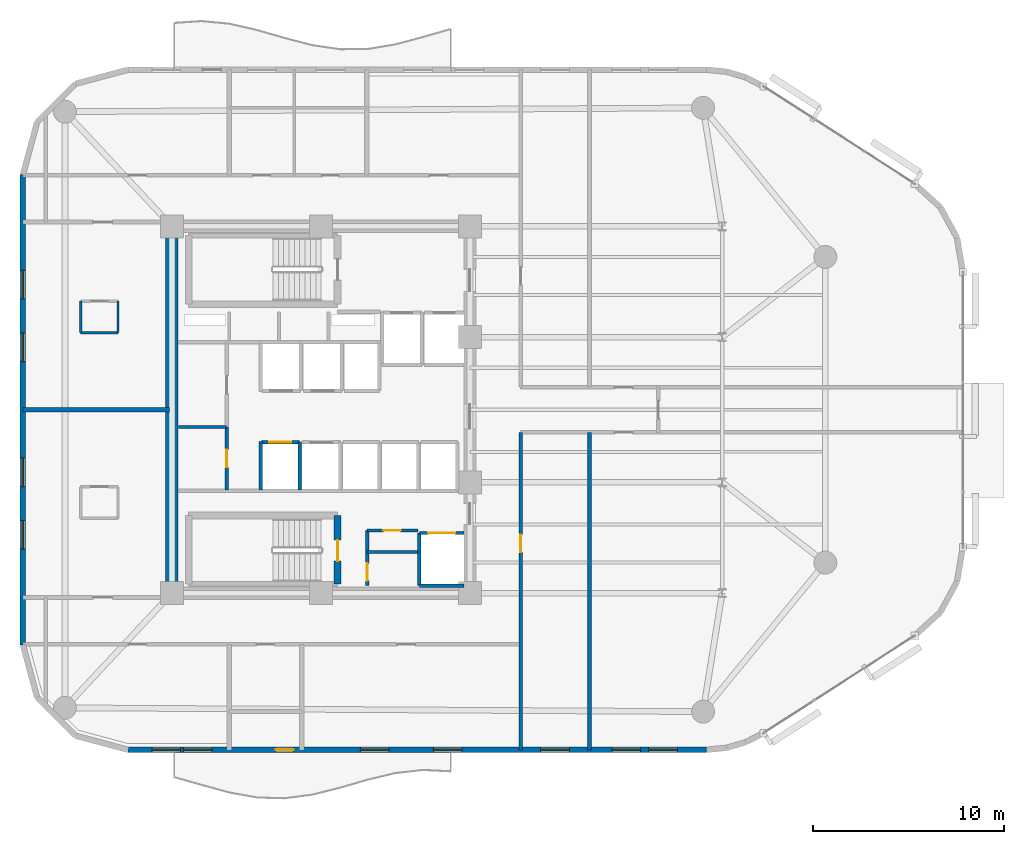
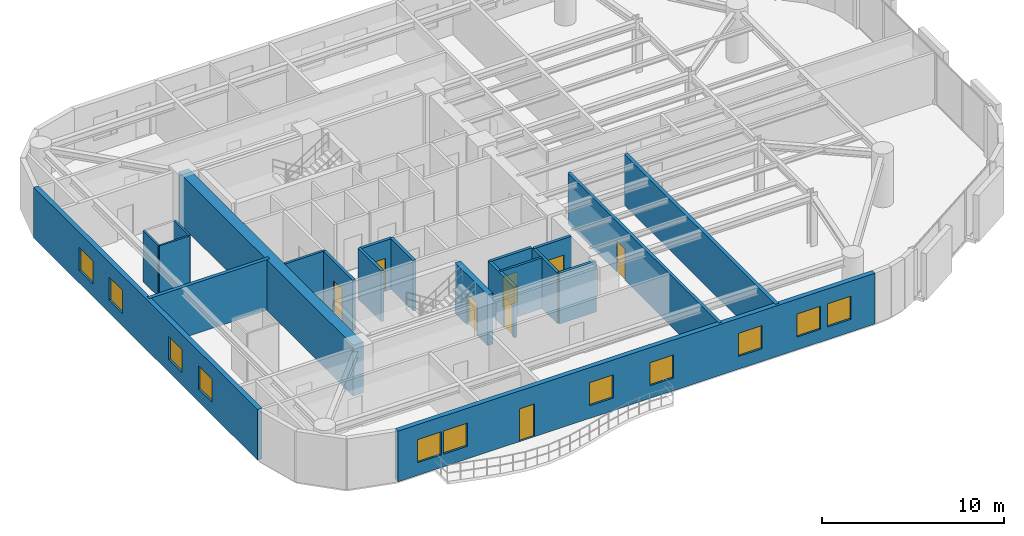
# One storey, part 10 of 15: 21 walls, 11 windows, 8 doors, 19 openings.
"""IFC4 building model written with IfcOpenShell, lengths in metres."""

from ifc_helpers import new_model, si_unit, direction, frame, frame_2d, origin, place, context, subcontext, project, spatial, rectangle, extrude, material, layer, layer_set, type_object, element, fill, save


model = new_model("IFC4")

# Units and contexts
model_context = context("Model", 3, precision=1e-05, world=origin(), true_north=direction((0.0, 1.0)))
body_context = subcontext(model_context, "Body", "Model", "MODEL_VIEW")
ifc_project = project(units=[si_unit("LENGTHUNIT", "METRE"), si_unit("AREAUNIT", "SQUARE_METRE"), si_unit("VOLUMEUNIT", "CUBIC_METRE"), si_unit("PLANEANGLEUNIT", "RADIAN"), si_unit("MASSUNIT", "GRAM", prefix="KILO")], contexts=[model_context])

# Site, building, storey
site_placement = place(None, origin())
site = spatial("IfcSite", under=ifc_project, at=site_placement, CompositionType="ELEMENT")
building_placement = place(site_placement, origin())
building = spatial("IfcBuilding", under=site, at=building_placement, Name="An Khanh Terracotta Commons", CompositionType="ELEMENT")
storey_placement = place(building_placement, frame((0.0, 0.0, 176.199951171875)))
storey = spatial("IfcBuildingStorey", under=building, at=storey_placement, Name="L46", CompositionType="ELEMENT", Elevation=176.199951171875)

# Wall
ifc_material_1 = material(Name="Concrete C60/75", Category="concrete")
ifc_layer_1 = layer(ifc_material_1, 0.64990234375, Name="Concrete C60/75")
ifc_layer_set_1 = layer_set([ifc_layer_1], Name="Concrete C60/75")
wall_type_1 = type_object("IfcWallType", Name="WALL-CORE-650", PredefinedType="SHEAR", material=ifc_layer_set_1)
wall_1_placement = place(storey_placement, frame((21.60009765625, 14.39990234375, 0.0), z_axis=(0.0, 0.0, 1.0), x_axis=(0.0, 1.0, 0.0)))
element("IfcWall", 1, at=wall_1_placement, inside=storey, type_object=wall_type_1, Name="L46 Core Wall CWALL-L46-W", PredefinedType="SHEAR", context=body_context, shape_type="SweptSolid", body=[
    extrude(rectangle(XDim=19.2001953125, YDim=0.64990234375, at=frame_2d((9.60009765625, 0.0))), origin(), (0.0, 0.0, 1.0), 3.400146484375),
])

# Wall, opening, door
ifc_material_2 = material(Name="Fire-Rated Gypsum Board on Steel Stud", Category="steel")
ifc_layer_2 = layer(ifc_material_2, 0.179931640625, Name="Fire-Rated Gypsum Board on Steel Stud")
ifc_layer_set_2 = layer_set([ifc_layer_2], Name="Fire-Rated Gypsum Board on Steel Stud")
wall_type_2 = type_object("IfcWallType", Name="WALL-CORR-180", PredefinedType="PARTITIONING", material=ifc_layer_set_2)
wall_2_placement = place(storey_placement, frame((31.820068359375, 17.679931640625, 0.0), z_axis=(0.0, 0.0, 1.0), x_axis=(1.0, 0.0, 0.0)))
wall_2 = element("IfcWall", 2, at=wall_2_placement, inside=storey, type_object=wall_type_2, Name="L46 Core Wall SSVCW-L46-N", PredefinedType="PARTITIONING", context=body_context, shape_type="SweptSolid", body=[
    extrude(rectangle(XDim=2.659912109375, YDim=0.179931640625, at=frame_2d((1.330078125, 0.0))), origin(), (0.0, 0.0, 1.0), 3.400146484375),
])
opening_1_placement = place(wall_2_placement, frame((0.85009765625, 0.0, 0.0)))
opening_1 = element("IfcOpeningElement", 3, at=opening_1_placement, cuts=wall_2, Name="Opening D-SV", PredefinedType="OPENING", context=body_context, shape_type="SweptSolid", body=[
    extrude(rectangle(XDim=0.89990234375, YDim=2.050048828125, at=frame_2d((0.449951171875, 1.02490234375))), frame((0.0, 0.099853515625, 0.0), z_axis=(0.0, -1.0, 0.0), x_axis=(1.0, 0.0, 0.0)), (0.0, 0.0, 1.0), 0.199951171875),
])
ifc_material_3 = material(Name="Fire-Rated Powder-Coated Steel Door", Category="steel")
door_type_1 = type_object("IfcDoorType", Name="DOOR-SERV-900", OperationType="NOTDEFINED", PredefinedType="DOOR", material=ifc_material_3)
door_1_placement = place(opening_1_placement, origin())
door_1 = element("IfcDoor", 4, at=door_1_placement, inside=storey, type_object=door_type_1, Name="L46 Core Cleaner Store Door", OperationType="SINGLE_SWING_RIGHT", OverallHeight=2.050048828125, OverallWidth=0.89990234375, PredefinedType="DOOR", context=body_context, shape_type="SweptSolid", body=[
    extrude(rectangle(XDim=0.89990234375, YDim=2.050048828125, at=frame_2d((0.449951171875, 1.02490234375))), frame((0.0, 0.02490234375, 0.0), z_axis=(0.0, -1.0, 0.0), x_axis=(1.0, 0.0, 0.0)), (0.0, 0.0, 1.0), 0.050048828125),
])
fill(opening_1, door_1)

wall_3_placement = place(storey_placement, frame((31.820068359375, 14.800048828125, 0.0), z_axis=(0.0, 0.0, 1.0), x_axis=(0.0, 1.0, 0.0)))
wall_3 = element("IfcWall", 5, at=wall_3_placement, inside=storey, type_object=wall_type_2, Name="L46 Core Wall SSVCW-L46-W", PredefinedType="PARTITIONING", context=body_context, shape_type="SweptSolid", body=[
    extrude(rectangle(XDim=2.8798828125, YDim=0.179931640625, at=frame_2d((1.43994140625, 0.0))), origin(), (0.0, 0.0, 1.0), 3.400146484375),
])
opening_2_placement = place(wall_3_placement, frame((0.260009765625, 0.0, 0.0)))
opening_2 = element("IfcOpeningElement", 6, at=opening_2_placement, cuts=wall_3, Name="Opening D-SV", PredefinedType="OPENING", context=body_context, shape_type="SweptSolid", body=[
    extrude(rectangle(XDim=0.89990234375, YDim=2.050048828125, at=frame_2d((0.449951171875, 1.02490234375))), frame((0.0, 0.099853515625, 0.0), z_axis=(0.0, -1.0, 0.0), x_axis=(1.0, 0.0, 0.0)), (0.0, 0.0, 1.0), 0.199951171875),
])
door_2_placement = place(opening_2_placement, origin())
door_2 = element("IfcDoor", 7, at=door_2_placement, inside=storey, type_object=door_type_1, Name="L46 Telecoms BMS Cupboard Door", OperationType="SINGLE_SWING_LEFT", OverallHeight=2.050048828125, OverallWidth=0.89990234375, PredefinedType="DOOR", context=body_context, shape_type="SweptSolid", body=[
    extrude(rectangle(XDim=0.89990234375, YDim=2.050048828125, at=frame_2d((0.449951171875, 1.02490234375))), frame((0.0, 0.02490234375, 0.0), z_axis=(0.0, -1.0, 0.0), x_axis=(1.0, 0.0, 0.0)), (0.0, 0.0, 1.0), 0.050048828125),
])
fill(opening_2, door_2)

wall_4_placement = place(storey_placement, frame((34.550048828125, 17.550048828125, 0.0), z_axis=(0.0, 0.0, 1.0), x_axis=(1.0, 0.0, 0.0)))
wall_4 = element("IfcWall", 8, at=wall_4_placement, inside=storey, type_object=wall_type_2, Name="L46 Core Wall LSH-L46-SVL-01-N", PredefinedType="PARTITIONING", context=body_context, shape_type="SweptSolid", body=[
    extrude(rectangle(XDim=2.349853515625, YDim=0.179931640625, at=frame_2d((1.1748046875, 0.0))), origin(), (0.0, 0.0, 1.0), 3.400146484375),
])
opening_3_placement = place(wall_4_placement, frame((0.47509765625, 0.0, 0.0)))
opening_3 = element("IfcOpeningElement", 9, at=opening_3_placement, cuts=wall_4, Name="Opening LD-SVL-01-L46", PredefinedType="OPENING", context=body_context, shape_type="SweptSolid", body=[
    extrude(rectangle(XDim=1.39990234375, YDim=2.300048828125, at=frame_2d((0.699951171875, 1.14990234375))), frame((0.0, 0.099853515625, 0.0), z_axis=(0.0, -1.0, 0.0), x_axis=(1.0, 0.0, 0.0)), (0.0, 0.0, 1.0), 0.199951171875),
])
ifc_material_4 = material(Name="Heavy-Duty Stainless Steel Goods Landing Door", Category="steel")
door_type_2 = type_object("IfcDoorType", Name="DOOR-LD-SVL-1400", OperationType="NOTDEFINED", PredefinedType="DOOR", material=ifc_material_4)
door_3_placement = place(opening_3_placement, origin())
door_3 = element("IfcDoor", 10, at=door_3_placement, inside=storey, type_object=door_type_2, Name="L46 Lift SVL-01 Sliding Landing Door", OperationType="DOUBLE_DOOR_SLIDING", OverallHeight=2.300048828125, OverallWidth=1.39990234375, PredefinedType="DOOR", context=body_context, shape_type="SweptSolid", body=[
    extrude(rectangle(XDim=1.39990234375, YDim=2.300048828125, at=frame_2d((0.699951171875, 1.14990234375))), frame((0.0, 0.02490234375, 0.0), z_axis=(0.0, -1.0, 0.0), x_axis=(1.0, 0.0, 0.0)), (0.0, 0.0, 1.0), 0.050048828125),
])
fill(opening_3, door_3)

# Walls
wall_5_placement = place(storey_placement, frame((36.89990234375, 14.800048828125, 0.0), z_axis=(0.0, 0.0, 1.0), x_axis=(-1.0, 0.0, 0.0)))
element("IfcWall", 11, at=wall_5_placement, inside=storey, type_object=wall_type_2, Name="L46 Core Wall LSH-L46-SVL-01-S", PredefinedType="PARTITIONING", context=body_context, shape_type="SweptSolid", body=[
    extrude(rectangle(XDim=2.349853515625, YDim=0.179931640625, at=frame_2d((1.1748046875, 0.0))), origin(), (0.0, 0.0, 1.0), 3.400146484375),
])
wall_6_placement = place(storey_placement, frame((34.550048828125, 17.550048828125, 0.0), z_axis=(0.0, 0.0, 1.0), x_axis=(0.0, -1.0, 0.0)))
element("IfcWall", 12, at=wall_6_placement, inside=storey, type_object=wall_type_2, Name="L46 Core Wall LSH-L46-SVL-01-W", PredefinedType="PARTITIONING", context=body_context, shape_type="SweptSolid", body=[
    extrude(rectangle(XDim=2.75, YDim=0.179931640625, at=frame_2d((1.375, 0.0))), origin(), (0.0, 0.0, 1.0), 3.400146484375),
])

# Wall, opening, door
wall_7_placement = place(storey_placement, frame((26.280029296875, 22.300048828125, 0.0), z_axis=(0.0, 0.0, 1.0), x_axis=(1.0, 0.0, 0.0)))
wall_7 = element("IfcWall", 13, at=wall_7_placement, inside=storey, type_object=wall_type_2, Name="L46 Core Wall LSH-L46-PL-M3-N", PredefinedType="PARTITIONING", context=body_context, shape_type="SweptSolid", body=[
    extrude(rectangle(XDim=2.0, YDim=0.179931640625, at=frame_2d((1.0, 0.0))), origin(), (0.0, 0.0, 1.0), 3.400146484375),
])
opening_4_placement = place(wall_7_placement, frame((0.425048828125, 0.0, 0.0)))
opening_4 = element("IfcOpeningElement", 14, at=opening_4_placement, cuts=wall_7, Name="Opening LD-PL-M3-L46", PredefinedType="OPENING", context=body_context, shape_type="SweptSolid", body=[
    extrude(rectangle(XDim=1.14990234375, YDim=2.199951171875, at=frame_2d((0.574951171875, 1.10009765625))), frame((0.0, 0.099853515625, 0.0), z_axis=(0.0, -1.0, 0.0), x_axis=(1.0, 0.0, 0.0)), (0.0, 0.0, 1.0), 0.199951171875),
])
ifc_material_5 = material(Name="Brushed Stainless Steel Passenger Landing Door", Category="steel")
door_type_3 = type_object("IfcDoorType", Name="DOOR-LD-PAX-1150", OperationType="NOTDEFINED", PredefinedType="DOOR", material=ifc_material_5)
door_4_placement = place(opening_4_placement, origin())
door_4 = element("IfcDoor", 15, at=door_4_placement, inside=storey, type_object=door_type_3, Name="L46 Lift PL-M3 Sliding Landing Door", OperationType="DOUBLE_DOOR_SLIDING", OverallHeight=2.199951171875, OverallWidth=1.14990234375, PredefinedType="DOOR", context=body_context, shape_type="SweptSolid", body=[
    extrude(rectangle(XDim=1.14990234375, YDim=2.199951171875, at=frame_2d((0.574951171875, 1.10009765625))), frame((0.0, 0.02490234375, 0.0), z_axis=(0.0, -1.0, 0.0), x_axis=(1.0, 0.0, 0.0)), (0.0, 0.0, 1.0), 0.050048828125),
])
fill(opening_4, door_4)

# Wall
wall_8_placement = place(storey_placement, frame((28.280029296875, 19.800048828125, 0.0), z_axis=(0.0, 0.0, 1.0), x_axis=(0.0, 1.0, 0.0)))
element("IfcWall", 16, at=wall_8_placement, inside=storey, type_object=wall_type_2, Name="L46 Core Wall LSH-L46-PL-M3-E", PredefinedType="PARTITIONING", context=body_context, shape_type="SweptSolid", body=[
    extrude(rectangle(XDim=2.5, YDim=0.179931640625, at=frame_2d((1.25, 0.0))), origin(), (0.0, 0.0, 1.0), 3.400146484375),
])

# Wall, opening, door
wall_9_placement = place(storey_placement, frame((24.4599609375, 19.800048828125, 0.0), z_axis=(0.0, 0.0, 1.0), x_axis=(0.0, 1.0, 0.0)))
wall_9 = element("IfcWall", 17, at=wall_9_placement, inside=storey, type_object=wall_type_2, Name="L46 Core Wall RECW-L46-E2", PredefinedType="PARTITIONING", context=body_context, shape_type="SweptSolid", body=[
    extrude(rectangle(XDim=3.300048828125, YDim=0.179931640625, at=frame_2d((1.64990234375, 0.0))), origin(), (0.0, 0.0, 1.0), 3.400146484375),
])
opening_5_placement = place(wall_9_placement, frame((1.18994140625, 0.0, 0.0)))
opening_5 = element("IfcOpeningElement", 18, at=opening_5_placement, cuts=wall_9, Name="Opening D-RM", PredefinedType="OPENING", context=body_context, shape_type="SweptSolid", body=[
    extrude(rectangle(XDim=0.919921875, YDim=2.10009765625, at=frame_2d((0.4599609375, 1.050048828125))), frame((0.0, 0.099853515625, 0.0), z_axis=(0.0, -1.0, 0.0), x_axis=(1.0, 0.0, 0.0)), (0.0, 0.0, 1.0), 0.199951171875),
])
ifc_material_6 = material(Name="Engineered Hardwood Timber Leaf", Category="wood")
door_type_4 = type_object("IfcDoorType", Name="DOOR-INT-920", OperationType="NOTDEFINED", PredefinedType="DOOR", material=ifc_material_6)
door_5_placement = place(opening_5_placement, origin())
door_5 = element("IfcDoor", 19, at=door_5_placement, inside=storey, type_object=door_type_4, Name="L46 Quiet Focus Booth Door", OperationType="SINGLE_SWING_LEFT", OverallHeight=2.10009765625, OverallWidth=0.919921875, PredefinedType="DOOR", context=body_context, shape_type="SweptSolid", body=[
    extrude(rectangle(XDim=0.919921875, YDim=2.10009765625, at=frame_2d((0.4599609375, 1.050048828125))), frame((0.0, 0.02490234375, 0.0), z_axis=(0.0, -1.0, 0.0), x_axis=(1.0, 0.0, 0.0)), (0.0, 0.0, 1.0), 0.050048828125),
])
fill(opening_5, door_5)

# Wall
wall_10_placement = place(storey_placement, frame((26.25, 19.800048828125, 0.0), z_axis=(0.0, 0.0, 1.0), x_axis=(0.0, 1.0, 0.0)))
element("IfcWall", 20, at=wall_10_placement, inside=storey, type_object=wall_type_2, Name="L46 Core Wall RECW-L46-BE2", PredefinedType="PARTITIONING", context=body_context, shape_type="SweptSolid", body=[
    extrude(rectangle(XDim=2.550048828125, YDim=0.179931640625, at=frame_2d((1.27490234375, 0.0))), origin(), (0.0, 0.0, 1.0), 3.400146484375),
])

# Wall, opening, door
wall_11_placement = place(storey_placement, frame((39.85009765625, 6.199951171875, 0.0), z_axis=(0.0, 0.0, 1.0), x_axis=(0.0, 1.0, 0.0)))
wall_11 = element("IfcWall", 21, at=wall_11_placement, inside=storey, type_object=wall_type_2, Name="L46 Interior Partition IW-L46-E017", PredefinedType="PARTITIONING", context=body_context, shape_type="SweptSolid", body=[
    extrude(rectangle(XDim=16.6201171875, YDim=0.179931640625, at=frame_2d((8.31005859375, 0.0))), origin(), (0.0, 0.0, 1.0), 3.400146484375),
])
opening_6_placement = place(wall_11_placement, frame((10.35009765625, 0.0, 0.0)))
opening_6 = element("IfcOpeningElement", 22, at=opening_6_placement, cuts=wall_11, Name="Opening D-RM", PredefinedType="OPENING", context=body_context, shape_type="SweptSolid", body=[
    extrude(rectangle(XDim=0.919921875, YDim=2.10009765625, at=frame_2d((0.4599609375, 1.050048828125))), frame((0.0, 0.099853515625, 0.0), z_axis=(0.0, -1.0, 0.0), x_axis=(1.0, 0.0, 0.0)), (0.0, 0.0, 1.0), 0.199951171875),
])
door_6_placement = place(opening_6_placement, origin())
door_6 = element("IfcDoor", 23, at=door_6_placement, inside=storey, type_object=door_type_4, Name="L46 T5SW Group Tutorial Meeting Room Door", OperationType="SINGLE_SWING_RIGHT", OverallHeight=2.10009765625, OverallWidth=0.919921875, PredefinedType="DOOR", context=body_context, shape_type="SweptSolid", body=[
    extrude(rectangle(XDim=0.919921875, YDim=2.10009765625, at=frame_2d((0.4599609375, 1.050048828125))), frame((0.0, 0.02490234375, 0.0), z_axis=(0.0, -1.0, 0.0), x_axis=(1.0, 0.0, 0.0)), (0.0, 0.0, 1.0), 0.050048828125),
])
fill(opening_6, door_6)

# Wall, openings, door, windows
ifc_material_7 = material(Name="Precast concrete C40/50", Category="concrete")
ifc_layer_3 = layer(ifc_material_7, 0.300048828125, Name="Precast concrete C40/50")
ifc_layer_set_3 = layer_set([ifc_layer_3], Name="Precast concrete C40/50")
wall_type_3 = type_object("IfcWallType", Name="WALL-EXT-300", PredefinedType="SOLIDWALL", material=ifc_layer_set_3)
wall_12_placement = place(storey_placement, frame((19.300048828125, 6.199951171875, 0.0), z_axis=(0.0, 0.0, 1.0), x_axis=(1.0, 0.0, 0.0)))
wall_12 = element("IfcWall", 24, at=wall_12_placement, inside=storey, type_object=wall_type_3, Name="L46 Insulated Terracotta Exterior Wall 4", PredefinedType="SOLIDWALL", context=body_context, shape_type="SweptSolid", body=[
    extrude(rectangle(XDim=30.281982421875, YDim=0.300048828125, at=frame_2d((15.14111328125, 0.0))), origin(), (0.0, 0.0, 1.0), 3.400146484375),
])
opening_7_placement = place(wall_12_placement, frame((7.72509765625, 0.0, 0.0)))
opening_7 = element("IfcOpeningElement", 25, at=opening_7_placement, cuts=wall_12, Name="Opening D-BAL", PredefinedType="OPENING", context=body_context, shape_type="SweptSolid", body=[
    extrude(rectangle(XDim=0.949951171875, YDim=2.199951171875, at=frame_2d((0.47509765625, 1.10009765625))), frame((0.0, 0.159912109375, 0.0), z_axis=(0.0, -1.0, 0.0), x_axis=(1.0, 0.0, 0.0)), (0.0, 0.0, 1.0), 0.320068359375),
])
opening_8_placement = place(wall_12_placement, frame((1.25, 0.0, 0.85009765625)))
opening_8 = element("IfcOpeningElement", 26, at=opening_8_placement, cuts=wall_12, Name="Opening W-03", PredefinedType="OPENING", context=body_context, shape_type="SweptSolid", body=[
    extrude(rectangle(XDim=1.5, YDim=1.550048828125, at=frame_2d((0.75, 0.77490234375))), frame((0.0, 0.159912109375, 0.0), z_axis=(0.0, -1.0, 0.0), x_axis=(1.0, 0.0, 0.0)), (0.0, 0.0, 1.0), 0.320068359375),
])
opening_9_placement = place(wall_12_placement, frame((2.89990234375, 0.0, 0.85009765625)))
opening_9 = element("IfcOpeningElement", 27, at=opening_9_placement, cuts=wall_12, Name="Opening W-03", PredefinedType="OPENING", context=body_context, shape_type="SweptSolid", body=[
    extrude(rectangle(XDim=1.5, YDim=1.550048828125, at=frame_2d((0.75, 0.77490234375))), frame((0.0, 0.159912109375, 0.0), z_axis=(0.0, -1.0, 0.0), x_axis=(1.0, 0.0, 0.0)), (0.0, 0.0, 1.0), 0.320068359375),
])
opening_10_placement = place(wall_12_placement, frame((12.1669921875, 0.0, 0.85009765625)))
opening_10 = element("IfcOpeningElement", 28, at=opening_10_placement, cuts=wall_12, Name="Opening W-03", PredefinedType="OPENING", context=body_context, shape_type="SweptSolid", body=[
    extrude(rectangle(XDim=1.5, YDim=1.550048828125, at=frame_2d((0.75, 0.77490234375))), frame((0.0, 0.159912109375, 0.0), z_axis=(0.0, -1.0, 0.0), x_axis=(1.0, 0.0, 0.0)), (0.0, 0.0, 1.0), 0.320068359375),
])
opening_11_placement = place(wall_12_placement, frame((15.98291015625, 0.0, 0.85009765625)))
opening_11 = element("IfcOpeningElement", 29, at=opening_11_placement, cuts=wall_12, Name="Opening W-03", PredefinedType="OPENING", context=body_context, shape_type="SweptSolid", body=[
    extrude(rectangle(XDim=1.5, YDim=1.550048828125, at=frame_2d((0.75, 0.77490234375))), frame((0.0, 0.159912109375, 0.0), z_axis=(0.0, -1.0, 0.0), x_axis=(1.0, 0.0, 0.0)), (0.0, 0.0, 1.0), 0.320068359375),
])
opening_12_placement = place(wall_12_placement, frame((21.60009765625, 0.0, 0.85009765625)))
opening_12 = element("IfcOpeningElement", 30, at=opening_12_placement, cuts=wall_12, Name="Opening W-03", PredefinedType="OPENING", context=body_context, shape_type="SweptSolid", body=[
    extrude(rectangle(XDim=1.5, YDim=1.550048828125, at=frame_2d((0.75, 0.77490234375))), frame((0.0, 0.159912109375, 0.0), z_axis=(0.0, -1.0, 0.0), x_axis=(1.0, 0.0, 0.0)), (0.0, 0.0, 1.0), 0.320068359375),
])
opening_13_placement = place(wall_12_placement, frame((25.326904296875, 0.0, 0.85009765625)))
opening_13 = element("IfcOpeningElement", 31, at=opening_13_placement, cuts=wall_12, Name="Opening W-03", PredefinedType="OPENING", context=body_context, shape_type="SweptSolid", body=[
    extrude(rectangle(XDim=1.5, YDim=1.550048828125, at=frame_2d((0.75, 0.77490234375))), frame((0.0, 0.159912109375, 0.0), z_axis=(0.0, -1.0, 0.0), x_axis=(1.0, 0.0, 0.0)), (0.0, 0.0, 1.0), 0.320068359375),
])
opening_14_placement = place(wall_12_placement, frame((27.2548828125, 0.0, 0.85009765625)))
opening_14 = element("IfcOpeningElement", 32, at=opening_14_placement, cuts=wall_12, Name="Opening W-03", PredefinedType="OPENING", context=body_context, shape_type="SweptSolid", body=[
    extrude(rectangle(XDim=1.5, YDim=1.550048828125, at=frame_2d((0.75, 0.77490234375))), frame((0.0, 0.159912109375, 0.0), z_axis=(0.0, -1.0, 0.0), x_axis=(1.0, 0.0, 0.0)), (0.0, 0.0, 1.0), 0.320068359375),
])
ifc_material_8 = material(Name="Thermally Broken Aluminium and Low-E Glass", Category="aluminium")
door_type_5 = type_object("IfcDoorType", Name="DOOR-BALC-950", OperationType="NOTDEFINED", PredefinedType="DOOR", material=ifc_material_8)
door_7_placement = place(opening_7_placement, origin())
door_7 = element("IfcDoor", 33, at=door_7_placement, inside=storey, type_object=door_type_5, Name="L46 S Wave Balcony Glazed Door", OperationType="SINGLE_SWING_LEFT", OverallHeight=2.199951171875, OverallWidth=0.949951171875, PredefinedType="DOOR", context=body_context, shape_type="SweptSolid", body=[
    extrude(rectangle(XDim=0.949951171875, YDim=2.199951171875, at=frame_2d((0.47509765625, 1.10009765625))), frame((0.0, 0.02490234375, 0.0), z_axis=(0.0, -1.0, 0.0), x_axis=(1.0, 0.0, 0.0)), (0.0, 0.0, 1.0), 0.050048828125),
])
fill(opening_7, door_7)
window_type = type_object("IfcWindowType", Name="WIN-Z3-1500x1550", PartitioningType="DOUBLE_PANEL_VERTICAL", PredefinedType="WINDOW", material=ifc_material_8)
window_1_placement = place(opening_8_placement, origin())
window_1 = element("IfcWindow", 34, at=window_1_placement, inside=storey, type_object=window_type, Name="L46 Operable Casement Window 4.1", OverallHeight=1.550048828125, OverallWidth=1.5, PartitioningType="DOUBLE_PANEL_VERTICAL", PredefinedType="WINDOW", context=body_context, shape_type="SweptSolid", body=[
    extrude(rectangle(XDim=1.5, YDim=1.550048828125, at=frame_2d((0.75, 0.77490234375))), frame((0.0, 0.030029296875, 0.0), z_axis=(0.0, -1.0, 0.0), x_axis=(1.0, 0.0, 0.0)), (0.0, 0.0, 1.0), 0.06005859375),
])
fill(opening_8, window_1)
window_2_placement = place(opening_9_placement, origin())
window_2 = element("IfcWindow", 35, at=window_2_placement, inside=storey, type_object=window_type, Name="L46 Operable Casement Window 4.2", OverallHeight=1.550048828125, OverallWidth=1.5, PartitioningType="DOUBLE_PANEL_VERTICAL", PredefinedType="WINDOW", context=body_context, shape_type="SweptSolid", body=[
    extrude(rectangle(XDim=1.5, YDim=1.550048828125, at=frame_2d((0.75, 0.77490234375))), frame((0.0, 0.030029296875, 0.0), z_axis=(0.0, -1.0, 0.0), x_axis=(1.0, 0.0, 0.0)), (0.0, 0.0, 1.0), 0.06005859375),
])
fill(opening_9, window_2)
window_3_placement = place(opening_10_placement, origin())
window_3 = element("IfcWindow", 36, at=window_3_placement, inside=storey, type_object=window_type, Name="L46 Operable Casement Window 4.3", OverallHeight=1.550048828125, OverallWidth=1.5, PartitioningType="DOUBLE_PANEL_VERTICAL", PredefinedType="WINDOW", context=body_context, shape_type="SweptSolid", body=[
    extrude(rectangle(XDim=1.5, YDim=1.550048828125, at=frame_2d((0.75, 0.77490234375))), frame((0.0, 0.030029296875, 0.0), z_axis=(0.0, -1.0, 0.0), x_axis=(1.0, 0.0, 0.0)), (0.0, 0.0, 1.0), 0.06005859375),
])
fill(opening_10, window_3)
window_4_placement = place(opening_11_placement, origin())
window_4 = element("IfcWindow", 37, at=window_4_placement, inside=storey, type_object=window_type, Name="L46 Operable Casement Window 4.4", OverallHeight=1.550048828125, OverallWidth=1.5, PartitioningType="DOUBLE_PANEL_VERTICAL", PredefinedType="WINDOW", context=body_context, shape_type="SweptSolid", body=[
    extrude(rectangle(XDim=1.5, YDim=1.550048828125, at=frame_2d((0.75, 0.77490234375))), frame((0.0, 0.030029296875, 0.0), z_axis=(0.0, -1.0, 0.0), x_axis=(1.0, 0.0, 0.0)), (0.0, 0.0, 1.0), 0.06005859375),
])
fill(opening_11, window_4)
window_5_placement = place(opening_12_placement, origin())
window_5 = element("IfcWindow", 38, at=window_5_placement, inside=storey, type_object=window_type, Name="L46 Operable Casement Window 4.5", OverallHeight=1.550048828125, OverallWidth=1.5, PartitioningType="DOUBLE_PANEL_VERTICAL", PredefinedType="WINDOW", context=body_context, shape_type="SweptSolid", body=[
    extrude(rectangle(XDim=1.5, YDim=1.550048828125, at=frame_2d((0.75, 0.77490234375))), frame((0.0, 0.030029296875, 0.0), z_axis=(0.0, -1.0, 0.0), x_axis=(1.0, 0.0, 0.0)), (0.0, 0.0, 1.0), 0.06005859375),
])
fill(opening_12, window_5)
window_6_placement = place(opening_13_placement, origin())
window_6 = element("IfcWindow", 39, at=window_6_placement, inside=storey, type_object=window_type, Name="L46 Operable Casement Window 4.6", OverallHeight=1.550048828125, OverallWidth=1.5, PartitioningType="DOUBLE_PANEL_VERTICAL", PredefinedType="WINDOW", context=body_context, shape_type="SweptSolid", body=[
    extrude(rectangle(XDim=1.5, YDim=1.550048828125, at=frame_2d((0.75, 0.77490234375))), frame((0.0, 0.030029296875, 0.0), z_axis=(0.0, -1.0, 0.0), x_axis=(1.0, 0.0, 0.0)), (0.0, 0.0, 1.0), 0.06005859375),
])
fill(opening_13, window_6)
window_7_placement = place(opening_14_placement, origin())
window_7 = element("IfcWindow", 40, at=window_7_placement, inside=storey, type_object=window_type, Name="L46 Operable Casement Window 4.7", OverallHeight=1.550048828125, OverallWidth=1.5, PartitioningType="DOUBLE_PANEL_VERTICAL", PredefinedType="WINDOW", context=body_context, shape_type="SweptSolid", body=[
    extrude(rectangle(XDim=1.5, YDim=1.550048828125, at=frame_2d((0.75, 0.77490234375))), frame((0.0, 0.030029296875, 0.0), z_axis=(0.0, -1.0, 0.0), x_axis=(1.0, 0.0, 0.0)), (0.0, 0.0, 1.0), 0.06005859375),
])
fill(opening_14, window_7)

# Wall, openings, windows
wall_13_placement = place(storey_placement, frame((13.800048828125, 36.300048828125, 0.0), z_axis=(0.0, 0.0, 1.0), x_axis=(0.0, -1.0, 0.0)))
wall_13 = element("IfcWall", 41, at=wall_13_placement, inside=storey, type_object=wall_type_3, Name="L46 Insulated Terracotta Exterior Wall 24", PredefinedType="SOLIDWALL", context=body_context, shape_type="SweptSolid", body=[
    extrude(rectangle(XDim=24.60009765625, YDim=0.300048828125, at=frame_2d((12.300048828125, 0.0))), origin(), (0.0, 0.0, 1.0), 3.400146484375),
])
opening_15_placement = place(wall_13_placement, frame((5.0029296875, 0.0, 0.85009765625)))
opening_15 = element("IfcOpeningElement", 42, at=opening_15_placement, cuts=wall_13, Name="Opening W-03", PredefinedType="OPENING", context=body_context, shape_type="SweptSolid", body=[
    extrude(rectangle(XDim=1.5, YDim=1.550048828125, at=frame_2d((0.75, 0.77490234375))), frame((0.0, 0.159912109375, 0.0), z_axis=(0.0, -1.0, 0.0), x_axis=(1.0, 0.0, 0.0)), (0.0, 0.0, 1.0), 0.320068359375),
])
opening_16_placement = place(wall_13_placement, frame((8.277099609375, 0.0, 0.85009765625)))
opening_16 = element("IfcOpeningElement", 43, at=opening_16_placement, cuts=wall_13, Name="Opening W-03", PredefinedType="OPENING", context=body_context, shape_type="SweptSolid", body=[
    extrude(rectangle(XDim=1.5, YDim=1.550048828125, at=frame_2d((0.75, 0.77490234375))), frame((0.0, 0.159912109375, 0.0), z_axis=(0.0, -1.0, 0.0), x_axis=(1.0, 0.0, 0.0)), (0.0, 0.0, 1.0), 0.320068359375),
])
opening_17_placement = place(wall_13_placement, frame((14.822998046875, 0.0, 0.85009765625)))
opening_17 = element("IfcOpeningElement", 44, at=opening_17_placement, cuts=wall_13, Name="Opening W-03", PredefinedType="OPENING", context=body_context, shape_type="SweptSolid", body=[
    extrude(rectangle(XDim=1.5, YDim=1.550048828125, at=frame_2d((0.75, 0.77490234375))), frame((0.0, 0.159912109375, 0.0), z_axis=(0.0, -1.0, 0.0), x_axis=(1.0, 0.0, 0.0)), (0.0, 0.0, 1.0), 0.320068359375),
])
opening_18_placement = place(wall_13_placement, frame((18.096923828125, 0.0, 0.85009765625)))
opening_18 = element("IfcOpeningElement", 45, at=opening_18_placement, cuts=wall_13, Name="Opening W-03", PredefinedType="OPENING", context=body_context, shape_type="SweptSolid", body=[
    extrude(rectangle(XDim=1.5, YDim=1.550048828125, at=frame_2d((0.75, 0.77490234375))), frame((0.0, 0.159912109375, 0.0), z_axis=(0.0, -1.0, 0.0), x_axis=(1.0, 0.0, 0.0)), (0.0, 0.0, 1.0), 0.320068359375),
])
window_8_placement = place(opening_15_placement, origin())
window_8 = element("IfcWindow", 46, at=window_8_placement, inside=storey, type_object=window_type, Name="L46 Operable Casement Window 24.1", OverallHeight=1.550048828125, OverallWidth=1.5, PartitioningType="DOUBLE_PANEL_VERTICAL", PredefinedType="WINDOW", context=body_context, shape_type="SweptSolid", body=[
    extrude(rectangle(XDim=1.5, YDim=1.550048828125, at=frame_2d((0.75, 0.77490234375))), frame((0.0, 0.030029296875, 0.0), z_axis=(0.0, -1.0, 0.0), x_axis=(1.0, 0.0, 0.0)), (0.0, 0.0, 1.0), 0.06005859375),
])
fill(opening_15, window_8)
window_9_placement = place(opening_16_placement, origin())
window_9 = element("IfcWindow", 47, at=window_9_placement, inside=storey, type_object=window_type, Name="L46 Operable Casement Window 24.2", OverallHeight=1.550048828125, OverallWidth=1.5, PartitioningType="DOUBLE_PANEL_VERTICAL", PredefinedType="WINDOW", context=body_context, shape_type="SweptSolid", body=[
    extrude(rectangle(XDim=1.5, YDim=1.550048828125, at=frame_2d((0.75, 0.77490234375))), frame((0.0, 0.030029296875, 0.0), z_axis=(0.0, -1.0, 0.0), x_axis=(1.0, 0.0, 0.0)), (0.0, 0.0, 1.0), 0.06005859375),
])
fill(opening_16, window_9)
window_10_placement = place(opening_17_placement, origin())
window_10 = element("IfcWindow", 48, at=window_10_placement, inside=storey, type_object=window_type, Name="L46 Operable Casement Window 24.3", OverallHeight=1.550048828125, OverallWidth=1.5, PartitioningType="DOUBLE_PANEL_VERTICAL", PredefinedType="WINDOW", context=body_context, shape_type="SweptSolid", body=[
    extrude(rectangle(XDim=1.5, YDim=1.550048828125, at=frame_2d((0.75, 0.77490234375))), frame((0.0, 0.030029296875, 0.0), z_axis=(0.0, -1.0, 0.0), x_axis=(1.0, 0.0, 0.0)), (0.0, 0.0, 1.0), 0.06005859375),
])
fill(opening_17, window_10)
window_11_placement = place(opening_18_placement, origin())
window_11 = element("IfcWindow", 49, at=window_11_placement, inside=storey, type_object=window_type, Name="L46 Operable Casement Window 24.4", OverallHeight=1.550048828125, OverallWidth=1.5, PartitioningType="DOUBLE_PANEL_VERTICAL", PredefinedType="WINDOW", context=body_context, shape_type="SweptSolid", body=[
    extrude(rectangle(XDim=1.5, YDim=1.550048828125, at=frame_2d((0.75, 0.77490234375))), frame((0.0, 0.030029296875, 0.0), z_axis=(0.0, -1.0, 0.0), x_axis=(1.0, 0.0, 0.0)), (0.0, 0.0, 1.0), 0.06005859375),
])
fill(opening_18, window_11)

# Walls
ifc_material_9 = material(Name="Acoustic Gypsum Board Partition")
ifc_layer_4 = layer(ifc_material_9, 0.14990234375, Name="Acoustic Gypsum Board Partition")
ifc_layer_set_4 = layer_set([ifc_layer_4], Name="Acoustic Gypsum Board Partition")
wall_type_4 = type_object("IfcWallType", Name="WALL-PART-150", PredefinedType="PARTITIONING", material=ifc_layer_set_4)
wall_14_placement = place(storey_placement, frame((31.820068359375, 16.550048828125, 0.0), z_axis=(0.0, 0.0, 1.0), x_axis=(1.0, 0.0, 0.0)))
element("IfcWall", 50, at=wall_14_placement, inside=storey, type_object=wall_type_4, Name="L46 Core Wall SSVCW-L46-M", PredefinedType="PARTITIONING", context=body_context, shape_type="SweptSolid", body=[
    extrude(rectangle(XDim=2.659912109375, YDim=0.14990234375, at=frame_2d((1.330078125, 0.0))), origin(), (0.0, 0.0, 1.0), 3.400146484375),
])
wall_15_placement = place(storey_placement, frame((21.949951171875, 23.10009765625, 0.0), z_axis=(0.0, 0.0, 1.0), x_axis=(1.0, 0.0, 0.0)))
element("IfcWall", 51, at=wall_15_placement, inside=storey, type_object=wall_type_4, Name="L46 Core Wall RECW-L46-M", PredefinedType="PARTITIONING", context=body_context, shape_type="SweptSolid", body=[
    extrude(rectangle(XDim=2.510009765625, YDim=0.14990234375, at=frame_2d((1.2548828125, 0.0))), origin(), (0.0, 0.0, 1.0), 3.400146484375),
])
ifc_material_10 = material(Name="Acoustic Double-Stud Gypsum and Mineral Wool")
ifc_layer_5 = layer(ifc_material_10, 0.219970703125, Name="Acoustic Double-Stud Gypsum and Mineral Wool")
ifc_layer_set_5 = layer_set([ifc_layer_5], Name="Acoustic Double-Stud Gypsum and Mineral Wool")
wall_type_5 = type_object("IfcWallType", Name="WALL-PARTY-220", PredefinedType="PARTITIONING", material=ifc_layer_set_5)
wall_16_placement = place(storey_placement, frame((13.800048828125, 24.0, 0.0), z_axis=(0.0, 0.0, 1.0), x_axis=(1.0, 0.0, 0.0)))
element("IfcWall", 52, at=wall_16_placement, inside=storey, type_object=wall_type_5, Name="L46 Interior Partition IW-L46-E005", PredefinedType="PARTITIONING", context=body_context, shape_type="SweptSolid", body=[
    extrude(rectangle(XDim=7.679931640625, YDim=0.219970703125, at=frame_2d((3.83984375, 0.0))), origin(), (0.0, 0.0, 1.0), 3.400146484375),
])
wall_17_placement = place(storey_placement, frame((43.449951171875, 6.199951171875, 0.0), z_axis=(0.0, 0.0, 1.0), x_axis=(0.0, 1.0, 0.0)))
element("IfcWall", 53, at=wall_17_placement, inside=storey, type_object=wall_type_5, Name="L46 Interior Partition IW-L46-E019", PredefinedType="PARTITIONING", context=body_context, shape_type="SweptSolid", body=[
    extrude(rectangle(XDim=16.6201171875, YDim=0.219970703125, at=frame_2d((8.31005859375, 0.0))), origin(), (0.0, 0.0, 1.0), 3.400146484375),
])

# Wall, opening, door
ifc_material_11 = material(Name="Concrete C50/60", Category="concrete")
ifc_layer_6 = layer(ifc_material_11, 0.35009765625, Name="Concrete C50/60")
ifc_layer_set_6 = layer_set([ifc_layer_6], Name="Concrete C50/60")
wall_type_6 = type_object("IfcWallType", Name="WALL-SHAFT-350", PredefinedType="SOLIDWALL", material=ifc_layer_set_6)
wall_18_placement = place(storey_placement, frame((30.27001953125, 14.889892578125, 0.0), z_axis=(0.0, 0.0, 1.0), x_axis=(0.0, 1.0, 0.0)))
wall_18 = element("IfcWall", 54, at=wall_18_placement, inside=storey, type_object=wall_type_6, Name="L46 Core Wall STW-L46-S-E", PredefinedType="SOLIDWALL", context=body_context, shape_type="SweptSolid", body=[
    extrude(rectangle(XDim=3.580078125, YDim=0.35009765625, at=frame_2d((1.7900390625, 0.0))), origin(), (0.0, 0.0, 1.0), 3.400146484375),
])
opening_19_placement = place(wall_18_placement, frame((1.18994140625, 0.0, 0.0)))
opening_19 = element("IfcOpeningElement", 55, at=opening_19_placement, cuts=wall_18, Name="Opening D-ST", PredefinedType="OPENING", context=body_context, shape_type="SweptSolid", body=[
    extrude(rectangle(XDim=1.10009765625, YDim=2.14990234375, at=frame_2d((0.550048828125, 1.074951171875))), frame((0.0, 0.18505859375, 0.0), z_axis=(0.0, -1.0, 0.0), x_axis=(1.0, 0.0, 0.0)), (0.0, 0.0, 1.0), 0.3701171875),
])
ifc_material_12 = material(Name="Fire-Rated Steel Leaf and Frame", Category="steel")
door_type_6 = type_object("IfcDoorType", Name="DOOR-STAIR-1100", OperationType="NOTDEFINED", PredefinedType="DOOR", material=ifc_material_12)
door_8_placement = place(opening_19_placement, origin())
door_8 = element("IfcDoor", 56, at=door_8_placement, inside=storey, type_object=door_type_6, Name="L46 Stair ST-02 Fire Door", OperationType="SINGLE_SWING_LEFT", OverallHeight=2.14990234375, OverallWidth=1.10009765625, PredefinedType="DOOR", context=body_context, shape_type="SweptSolid", body=[
    extrude(rectangle(XDim=1.10009765625, YDim=2.14990234375, at=frame_2d((0.550048828125, 1.074951171875))), frame((0.0, 0.02490234375, 0.0), z_axis=(0.0, -1.0, 0.0), x_axis=(1.0, 0.0, 0.0)), (0.0, 0.0, 1.0), 0.050048828125),
])
fill(opening_19, door_8)

# Walls
ifc_material_13 = material(Name="Moisture-Resistant Cement Board Partition")
ifc_layer_7 = layer(ifc_material_13, 0.1201171875, Name="Moisture-Resistant Cement Board Partition")
ifc_layer_set_7 = layer_set([ifc_layer_7], Name="Moisture-Resistant Cement Board Partition")
wall_type_7 = type_object("IfcWallType", Name="WALL-WET-120", PredefinedType="PARTITIONING", material=ifc_layer_set_7)
wall_19_placement = place(storey_placement, frame((18.77490234375, 28.034912109375, 0.0), z_axis=(0.0, 0.0, 1.0), x_axis=(-1.0, 0.0, 0.0)))
element("IfcWall", 57, at=wall_19_placement, inside=storey, type_object=wall_type_7, Name="L46 Interior Partition IW-L46-WW2-BS", PredefinedType="PARTITIONING", context=body_context, shape_type="SweptSolid", body=[
    extrude(rectangle(XDim=1.949951171875, YDim=0.1201171875, at=frame_2d((0.97509765625, 0.0))), origin(), (0.0, 0.0, 1.0), 3.400146484375),
])
for number, where, z_axis, x_axis, name in (
    (58, (16.824951171875, 29.68505859375, 0.0), (0.0, 0.0, 1.0), (0.0, -1.0, 0.0), "L46 Interior Partition IW-L46-WW2-BW"),
    (59, (18.77490234375, 28.034912109375, 0.0), (0.0, 0.0, 1.0), (0.0, 1.0, 0.0), "L46 Interior Partition IW-L46-WW2-BE"),
):
    element("IfcWall", number, at=place(storey_placement, frame(where, z_axis=z_axis, x_axis=x_axis)), inside=storey, type_object=wall_type_7, Name=name, PredefinedType="PARTITIONING", context=body_context, shape_type="SweptSolid", body=[
        extrude(rectangle(XDim=1.650146484375, YDim=0.1201171875, at=frame_2d((0.8251953125, 0.0))), origin(), (0.0, 0.0, 1.0), 3.400146484375),
    ])

save(model, "model.ifc")
